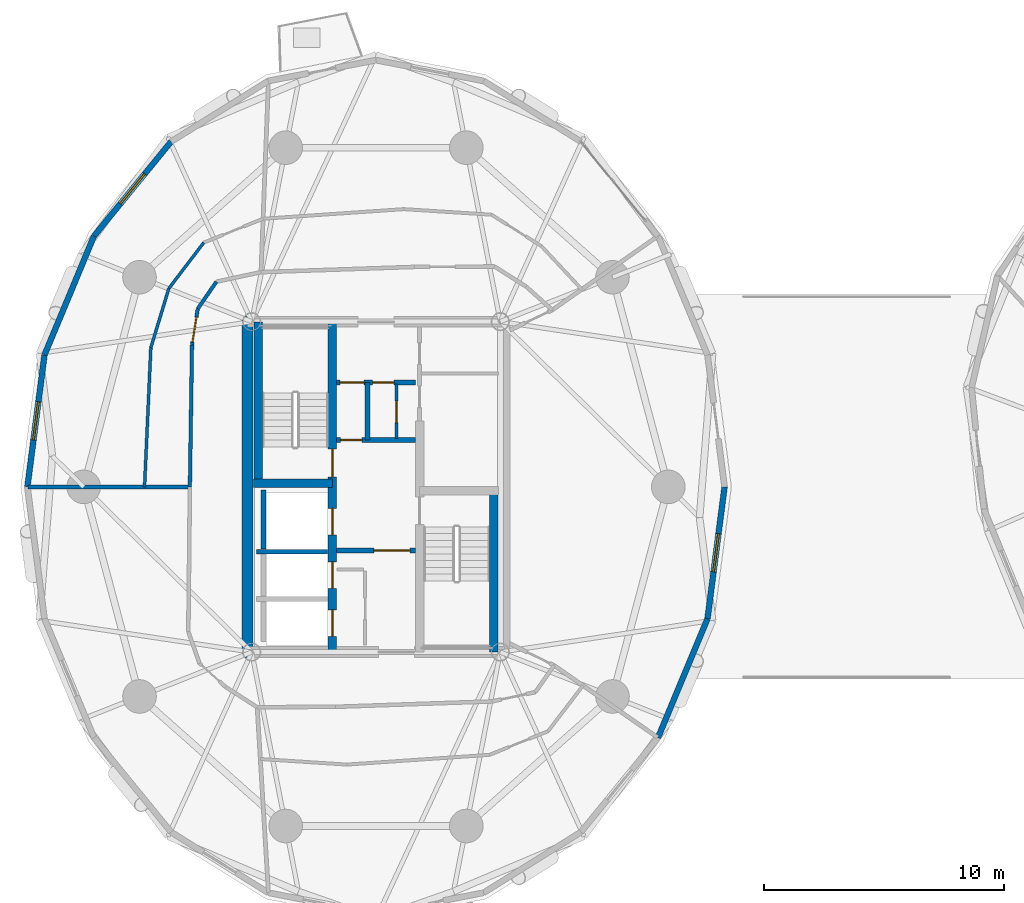
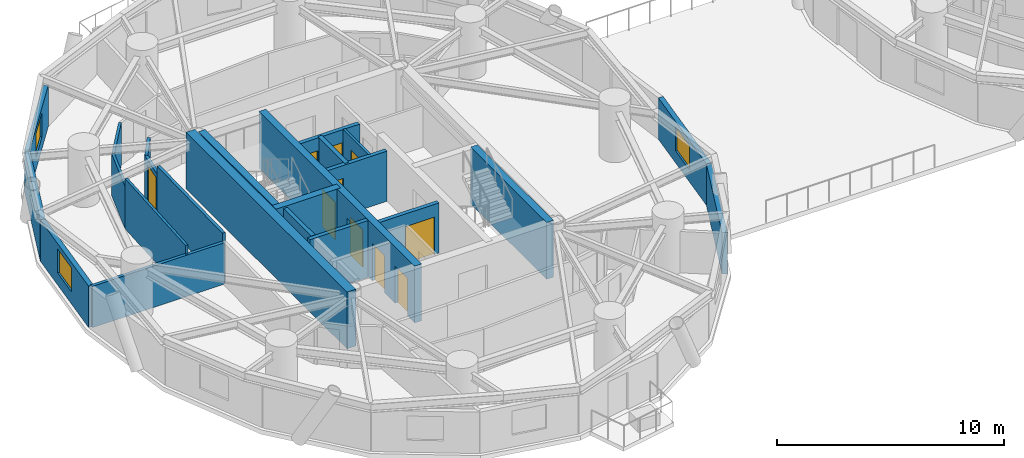
# One storey, part 10 of 19: 24 walls, 10 doors, 3 windows, 13 openings.
"""IFC4 building model written with IfcOpenShell, lengths in metres."""

import ifcopenshell
import ifcopenshell.guid

model = None  # the IFC model being written
_history = None  # IfcOwnerHistory: only IFC2X3 demands one
_inside = {}  # id of a spatial element -> (the spatial element, [elements in it])
_under = {}  # id of a project, library or spatial element -> (it, [spatial elements below it])
_declared = {}  # id of a project -> (the project, [libraries it declares])
_typed = {}  # id of a type object -> (the type object, [elements of that type])
_made_of = {}  # id of a material, layer set ... -> (it, [elements and type objects made of it])


def new_model(schema):
    """Start an empty IFC model of exactly this schema.

    Asked for "IFC4X3", IfcOpenShell would pick the latest addendum, in which some entities
    have other attributes; the version numbers below select the first issue.
    IFC2X3 requires an IfcOwnerHistory on every rooted entity: one is made here for all.
    """
    global model, _history
    if schema == "IFC4X3":
        model = ifcopenshell.file(schema_version=(4, 3, 0, 0))
    else:
        model = ifcopenshell.file(schema=schema)
    _inside.clear()
    _under.clear()
    _declared.clear()
    _typed.clear()
    _made_of.clear()
    _history = None
    if model.schema == "IFC2X3":
        org = make("IfcOrganization", Name="unknown")
        user = make(
            "IfcPersonAndOrganization",
            ThePerson=make("IfcPerson", FamilyName="unknown"),
            TheOrganization=org,
        )
        app = make(
            "IfcApplication",
            ApplicationDeveloper=org,
            Version="unknown",
            ApplicationFullName="unknown",
            ApplicationIdentifier="unknown",
        )
        _history = make(
            "IfcOwnerHistory",
            OwningUser=user,
            OwningApplication=app,
            ChangeAction="ADDED",
            CreationDate=0,
        )
    return model


def make(cls, **values):
    """One entity of the class cls with the attributes given. An attribute that is None is left unset."""
    return model.create_entity(
        cls, **{name: value for name, value in values.items() if value is not None}
    )


def rooted(cls, **values):
    """An entity with a GlobalId (a new one), such as an element, a storey or a relation."""
    return make(cls, GlobalId=ifcopenshell.guid.new(), OwnerHistory=_history, **values)


def si_unit(unit_type, name, prefix=None):
    """IfcSIUnit, for example si_unit("LENGTHUNIT", "METRE", prefix="MILLI")."""
    return make("IfcSIUnit", UnitType=unit_type, Prefix=prefix, Name=name)


def assignment(units):
    """IfcUnitAssignment: the units of a project."""
    return None if units is None else make("IfcUnitAssignment", Units=units)


def point(xyz):
    """IfcCartesianPoint."""
    return None if xyz is None else make("IfcCartesianPoint", Coordinates=xyz)


def direction(xyz):
    """IfcDirection."""
    return None if xyz is None else make("IfcDirection", DirectionRatios=xyz)


def frame(location, z_axis=None, x_axis=None):
    """IfcAxis2Placement3D, a coordinate frame: its origin and axes. An axis left out is left unset."""
    return make(
        "IfcAxis2Placement3D",
        Location=point(location),
        Axis=direction(z_axis),
        RefDirection=direction(x_axis),
    )


def frame_2d(location, x_axis=None):
    """IfcAxis2Placement2D, a coordinate frame in the plane: its origin and x axis."""
    return make(
        "IfcAxis2Placement2D", Location=point(location), RefDirection=direction(x_axis)
    )


def origin():
    """The frame at (0, 0, 0) with its axes left unset."""
    return frame((0.0, 0.0, 0.0))


def place(relative_to, where):
    """IfcLocalPlacement: puts the frame where relative to a parent placement (None: the world)."""
    return make(
        "IfcLocalPlacement", PlacementRelTo=relative_to, RelativePlacement=where
    )


def context(
    kind, dimensions, precision=None, world=None, true_north=None, identifier=None
):
    """IfcGeometricRepresentationContext, for example the 3D "Model" context."""
    return make(
        "IfcGeometricRepresentationContext",
        ContextIdentifier=identifier,
        ContextType=kind,
        CoordinateSpaceDimension=dimensions,
        Precision=precision,
        WorldCoordinateSystem=world,
        TrueNorth=true_north,
    )


def subcontext(parent, identifier, kind, view, scale=None):
    """IfcGeometricRepresentationSubContext, for example "Body" below "Model"."""
    return make(
        "IfcGeometricRepresentationSubContext",
        ContextIdentifier=identifier,
        ContextType=kind,
        ParentContext=parent,
        TargetScale=scale,
        TargetView=view,
    )


def project(units=None, contexts=None):
    """IfcProject with its units and contexts."""
    return rooted(
        "IfcProject",
        Name="project",
        RepresentationContexts=contexts,
        UnitsInContext=assignment(units),
    )


def spatial(cls, under=None, at=None, **own):
    """A site, building, storey or space (cls), placed at a placement, below another one or the project."""
    s = rooted(cls, ObjectPlacement=at, **own)
    if under is not None:
        _under.setdefault(under.id(), (under, []))[1].append(s)
    return s


def profile(cls, at=None, kind="AREA", **sizes):
    """A parametric profile (cls). Its sizes go by their IFC names, for example OverallWidth=200.0."""
    return make(cls, ProfileType=kind, Position=at, **sizes)


def rectangle(**sizes):
    """IfcRectangleProfileDef."""
    return profile("IfcRectangleProfileDef", **sizes)


def extrude(swept, where, along, depth):
    """IfcExtrudedAreaSolid: the profile swept, set in the frame where, extruded along a direction by depth."""
    return make(
        "IfcExtrudedAreaSolid",
        SweptArea=swept,
        Position=where,
        ExtrudedDirection=direction(along),
        Depth=depth,
    )


def shape(context_of_items, identifier, shape_type, items):
    """IfcShapeRepresentation: the items that make up one representation, for example the "Body"."""
    return make(
        "IfcShapeRepresentation",
        ContextOfItems=context_of_items,
        RepresentationIdentifier=identifier,
        RepresentationType=shape_type,
        Items=items,
    )


def source(mapping_origin, context_of_items, identifier, shape_type, items):
    """IfcRepresentationMap: a shape defined once, which mapped items show again and again."""
    return make(
        "IfcRepresentationMap",
        MappingOrigin=mapping_origin,
        MappedRepresentation=shape(context_of_items, identifier, shape_type, items),
    )


def transform(
    local_origin,
    x_axis=None,
    y_axis=None,
    z_axis=None,
    scale=None,
    scale2=None,
    scale3=None,
    uniform=True,
):
    """IfcCartesianTransformationOperator3D, or its non-uniform kind. x_axis, y_axis, z_axis: its Axis1, 2, 3."""
    if uniform:
        return make(
            "IfcCartesianTransformationOperator3D",
            Axis1=direction(x_axis),
            Axis2=direction(y_axis),
            LocalOrigin=point(local_origin),
            Scale=scale,
            Axis3=direction(z_axis),
        )
    return make(
        "IfcCartesianTransformationOperator3DnonUniform",
        Axis1=direction(x_axis),
        Axis2=direction(y_axis),
        LocalOrigin=point(local_origin),
        Scale=scale,
        Axis3=direction(z_axis),
        Scale2=scale2,
        Scale3=scale3,
    )


def mapped(mapping_source, mapping_target):
    """IfcMappedItem: shows the shape of a source again, moved by a transform."""
    return make(
        "IfcMappedItem", MappingSource=mapping_source, MappingTarget=mapping_target
    )


def material(Name=None, Category=None):
    """IfcMaterial."""
    return make("IfcMaterial", Name=Name, Category=Category)


def layer(
    of_material, thickness, ventilated=None, Name=None, Category=None, Priority=None
):
    """IfcMaterialLayer: one layer of a wall or slab, of a material (None: an air gap)."""
    return make(
        "IfcMaterialLayer",
        Material=of_material,
        LayerThickness=thickness,
        IsVentilated=ventilated,
        Name=Name,
        Category=Category,
        Priority=Priority,
    )


def layer_set(layers, Name=None):
    """IfcMaterialLayerSet."""
    return make("IfcMaterialLayerSet", MaterialLayers=layers, LayerSetName=Name)


def made_of(thing, what):
    """Note that an element or type object is made of a material, layer set ...; save() writes the relation."""
    if what is not None:
        _made_of.setdefault(what.id(), (what, []))[1].append(thing)
    return thing


def type_object(cls, material=None, **own):
    """A type object (cls), such as IfcWallType, which elements share."""
    return made_of(rooted(cls, **own), material)


def element(
    cls,
    number,
    at=None,
    inside=None,
    cuts=None,
    type_object=None,
    material=None,
    context=None,
    identifier="Body",
    shape_type=None,
    held_by="IfcProductDefinitionShape",
    body=None,
    shapes=None,
    **own,
):
    """One element of the class cls, such as IfcWall. Its Tag is "e" and its number.

    at: its placement. inside: the storey or other place that contains it. cuts: it is an
    opening in that element (IfcRelVoidsElement). A single representation is given by context,
    identifier, shape_type and body (its items); several are given by shapes. held_by: the class
    of the entity that holds the representations. save() writes the other relations.
    """
    e = rooted(cls, Tag="e%d" % number, ObjectPlacement=at, **own)
    if body is not None:
        shapes = [shape(context, identifier, shape_type, body)]
    if shapes is not None:
        e.Representation = make(held_by, Representations=shapes)
    if inside is not None:
        _inside.setdefault(inside.id(), (inside, []))[1].append(e)
    if cuts is not None:
        rooted(
            "IfcRelVoidsElement", RelatingBuildingElement=cuts, RelatedOpeningElement=e
        )
    if type_object is not None:
        _typed.setdefault(type_object.id(), (type_object, []))[1].append(e)
    return made_of(e, material)


def fill(opening, filler):
    """IfcRelFillsElement: the door or window that sits in an opening."""
    return rooted(
        "IfcRelFillsElement",
        RelatingOpeningElement=opening,
        RelatedBuildingElement=filler,
    )


def aggregate(whole, parts):
    """IfcRelAggregates: a whole, such as a stair, and the parts it consists of."""
    return rooted("IfcRelAggregates", RelatingObject=whole, RelatedObjects=parts)


def save(model, path):
    """Write the relations noted so far, then the file.

    IfcRelAggregates (storeys below a building ...), IfcRelContainedInSpatialStructure (elements
    in a storey), IfcRelDefinesByType, IfcRelAssociatesMaterial and IfcRelDeclares: one each for
    every whole, place, type object, material and project.
    """
    for whole, parts in _under.values():
        aggregate(whole, parts)
    for where, things in _inside.values():
        rooted(
            "IfcRelContainedInSpatialStructure",
            RelatedElements=things,
            RelatingStructure=where,
        )
    for kind, things in _typed.values():
        rooted("IfcRelDefinesByType", RelatedObjects=things, RelatingType=kind)
    for what, things in _made_of.values():
        rooted("IfcRelAssociatesMaterial", RelatedObjects=things, RelatingMaterial=what)
    for by, libraries in _declared.values():
        rooted("IfcRelDeclares", RelatingContext=by, RelatedDefinitions=libraries)
    model.write(path)


model = new_model("IFC4")

# Units and contexts
model_context = context("Model", 3, precision=1e-05, world=origin(), true_north=direction((0.0, 1.0)))
body_context = subcontext(model_context, "Body", "Model", "MODEL_VIEW")
ifc_project = project(units=[si_unit("LENGTHUNIT", "METRE"), si_unit("AREAUNIT", "SQUARE_METRE"), si_unit("VOLUMEUNIT", "CUBIC_METRE"), si_unit("PLANEANGLEUNIT", "RADIAN"), si_unit("MASSUNIT", "GRAM", prefix="KILO")], contexts=[model_context])

# Site, building, storey
site_placement = place(None, origin())
site = spatial("IfcSite", under=ifc_project, at=site_placement, CompositionType="ELEMENT")
building_placement = place(site_placement, origin())
building = spatial("IfcBuilding", under=site, at=building_placement, Name="Cununo Teusaquillo Station Towers", CompositionType="ELEMENT")
storey_placement = place(building_placement, frame((0.0, 0.0, 144.0400390625)))
storey = spatial("IfcBuildingStorey", under=building, at=storey_placement, Name="L45", CompositionType="ELEMENT", Elevation=144.0400390625)

# Walls
ifc_material_1 = material(Name="Concrete C50/60", Category="concrete")
ifc_layer_1 = layer(ifc_material_1, 0.199951171875)
ifc_layer_set_1 = layer_set([ifc_layer_1], Name="Concrete C50/60")
wall_type_1 = type_object("IfcWallType", Name="WL-CORE-200", PredefinedType="SHEAR", material=ifc_layer_set_1)
wall_1_placement = place(storey_placement, frame((11.52001953125, 21.800048828125, 0.0), z_axis=(0.0, 0.0, 1.0), x_axis=(1.0, 0.0, 0.0)))
element("IfcWall", 1, at=wall_1_placement, inside=storey, type_object=wall_type_1, Name="L45 Tower A Firefighting Lift Shaft South Shear Wall", PredefinedType="SHEAR", context=body_context, shape_type="SweptSolid", body=[
    extrude(rectangle(XDim=2.969970703125, YDim=0.199951171875, at=frame_2d((1.48486328125, 0.0))), origin(), (0.0, 0.0, 1.0), 3.06005859375),
])
wall_2_placement = place(storey_placement, frame((11.820068359375, 21.919921875, 0.0), z_axis=(0.0, 0.0, 1.0), x_axis=(0.0, 1.0, 0.0)))
element("IfcWall", 2, at=wall_2_placement, inside=storey, type_object=wall_type_1, Name="L45 Tower A Firefighting Lift Shaft Rear Shear Wall", PredefinedType="SHEAR", context=body_context, shape_type="SweptSolid", body=[
    extrude(rectangle(XDim=2.440185546875, YDim=0.199951171875, at=frame_2d((1.22021484375, 0.0))), origin(), (0.0, 0.0, 1.0), 3.06005859375),
])

# Wall, openings, doors
ifc_material_2 = material(Name="Concrete C50/60", Category="concrete")
ifc_layer_2 = layer(ifc_material_2, 0.35009765625)
ifc_layer_set_2 = layer_set([ifc_layer_2], Name="Concrete C50/60")
wall_type_2 = type_object("IfcWallType", Name="WL-CORE-350", PredefinedType="SHEAR", material=ifc_layer_set_2)
wall_3_placement = place(storey_placement, frame((14.68505859375, 17.625, 0.0), z_axis=(0.0, 0.0, 1.0), x_axis=(0.0, 1.0, 0.0)))
wall_3 = element("IfcWall", 3, at=wall_3_placement, inside=storey, type_object=wall_type_2, Name="L45 Tower A Core Shear Wall IW", PredefinedType="SHEAR", context=body_context, shape_type="SweptSolid", body=[
    extrude(rectangle(XDim=13.75, YDim=0.35009765625, at=frame_2d((6.875, 0.0))), origin(), (0.0, 0.0, 1.0), 3.06005859375),
])
shared_shape_1 = source(origin(), body_context, "Body", "SweptSolid", [
    extrude(rectangle(XDim=1.10009765625, YDim=2.014892578125, at=frame_2d((0.550048828125, 1.00732421875))), frame((0.0, 0.18505859375, 0.0), z_axis=(0.0, -1.0, 0.0), x_axis=(1.0, 0.0, 0.0)), (0.0, 0.0, 1.0), 0.3701171875),
])
opening_1_placement = place(wall_3_placement, frame((4.875, 0.0, 0.0)))
opening_1 = element("IfcOpeningElement", 4, at=opening_1_placement, cuts=wall_3, Name="Opening LD-01", PredefinedType="OPENING", context=body_context, shape_type="MappedRepresentation", body=[
    mapped(shared_shape_1, transform((0.0, 0.0, 0.0), x_axis=(1.0, 0.0, 0.0), y_axis=(0.0, 1.0, 0.0), z_axis=(0.0, 0.0, 1.0), scale=1.0)),
])
opening_2_placement = place(wall_3_placement, frame((0.64990234375, 0.0, 0.0)))
opening_2 = element("IfcOpeningElement", 5, at=opening_2_placement, cuts=wall_3, Name="Opening LD-01", PredefinedType="OPENING", context=body_context, shape_type="MappedRepresentation", body=[
    mapped(shared_shape_1, transform((0.0, 0.0, 0.0), x_axis=(1.0, 0.0, 0.0), y_axis=(0.0, 1.0, 0.0), z_axis=(0.0, 0.0, 1.0), scale=1.0)),
])
opening_3_placement = place(wall_3_placement, frame((2.64990234375, 0.0, 0.0)))
opening_3 = element("IfcOpeningElement", 6, at=opening_3_placement, cuts=wall_3, Name="Opening LD-01", PredefinedType="OPENING", context=body_context, shape_type="MappedRepresentation", body=[
    mapped(shared_shape_1, transform((0.0, 0.0, 0.0), x_axis=(1.0, 0.0, 0.0), y_axis=(0.0, 1.0, 0.0), z_axis=(0.0, 0.0, 1.0), scale=1.0)),
])
shared_shape_2 = source(origin(), body_context, "Body", "SweptSolid", [
    extrude(rectangle(XDim=1.14990234375, YDim=2.02001953125, at=frame_2d((0.574951171875, 1.010009765625))), frame((0.0, 0.18505859375, 0.0), z_axis=(0.0, -1.0, 0.0), x_axis=(1.0, 0.0, 0.0)), (0.0, 0.0, 1.0), 0.3701171875),
])
opening_4_placement = place(wall_3_placement, frame((7.294921875, 0.0, 0.0)))
opening_4 = element("IfcOpeningElement", 7, at=opening_4_placement, cuts=wall_3, Name="Opening D-ST1", PredefinedType="OPENING", context=body_context, shape_type="MappedRepresentation", body=[
    mapped(shared_shape_2, transform((0.0, 0.0, 0.0), x_axis=(1.0, 0.0, 0.0), y_axis=(0.0, 1.0, 0.0), z_axis=(0.0, 0.0, 1.0), scale=1.0)),
])
ifc_material_3 = material(Name="Galvanised fire-rated hollow steel door assembly", Category="steel")
door_type_1 = type_object("IfcDoorType", Name="DR-LIFT-1100", OperationType="SLIDING_TO_LEFT", PredefinedType="DOOR", material=ifc_material_3)
shared_shape_3 = source(origin(), body_context, "Body", "SweptSolid", [
    extrude(rectangle(XDim=1.10009765625, YDim=2.014892578125, at=frame_2d((0.550048828125, 1.00732421875))), frame((0.0, 0.02490234375, 0.0), z_axis=(0.0, -1.0, 0.0), x_axis=(1.0, 0.0, 0.0)), (0.0, 0.0, 1.0), 0.050048828125),
])
door_1_placement = place(opening_1_placement, origin())
door_1 = element("IfcDoor", 8, at=door_1_placement, inside=storey, type_object=door_type_1, Name="L45 Lift FL-T1 Sliding Landing Door", OperationType="SLIDING_TO_RIGHT", OverallHeight=2.014892578125, OverallWidth=1.10009765625, PredefinedType="DOOR", context=body_context, shape_type="MappedRepresentation", body=[
    mapped(shared_shape_3, transform((0.0, 0.0, 0.0), x_axis=(1.0, 0.0, 0.0), y_axis=(0.0, 1.0, 0.0), z_axis=(0.0, 0.0, 1.0), scale=1.0)),
])
fill(opening_1, door_1)
door_2_placement = place(opening_2_placement, origin())
door_2 = element("IfcDoor", 9, at=door_2_placement, inside=storey, type_object=door_type_1, Name="L45 Lift PL-T1-H1 Sliding Landing Door", OperationType="SLIDING_TO_RIGHT", OverallHeight=2.014892578125, OverallWidth=1.10009765625, PredefinedType="DOOR", context=body_context, shape_type="MappedRepresentation", body=[
    mapped(shared_shape_3, transform((0.0, 0.0, 0.0), x_axis=(1.0, 0.0, 0.0), y_axis=(0.0, 1.0, 0.0), z_axis=(0.0, 0.0, 1.0), scale=1.0)),
])
fill(opening_2, door_2)
door_3_placement = place(opening_3_placement, origin())
door_3 = element("IfcDoor", 10, at=door_3_placement, inside=storey, type_object=door_type_1, Name="L45 Lift PL-T1-H2 Sliding Landing Door", OperationType="SLIDING_TO_LEFT", OverallHeight=2.014892578125, OverallWidth=1.10009765625, PredefinedType="DOOR", context=body_context, shape_type="MappedRepresentation", body=[
    mapped(shared_shape_3, transform((0.0, 0.0, 0.0), x_axis=(1.0, 0.0, 0.0), y_axis=(0.0, 1.0, 0.0), z_axis=(0.0, 0.0, 1.0), scale=1.0)),
])
fill(opening_3, door_3)
ifc_material_4 = material(Name="Galvanised fire-rated hollow steel door assembly", Category="steel")
door_type_2 = type_object("IfcDoorType", Name="DR-STAIR-1150", OperationType="NOTDEFINED", PredefinedType="DOOR", material=ifc_material_4)
shared_shape_4 = source(origin(), body_context, "Body", "SweptSolid", [
    extrude(rectangle(XDim=1.14990234375, YDim=2.02001953125, at=frame_2d((0.574951171875, 1.010009765625))), frame((0.0, 0.02490234375, 0.0), z_axis=(0.0, -1.0, 0.0), x_axis=(1.0, 0.0, 0.0)), (0.0, 0.0, 1.0), 0.050048828125),
])
door_4_placement = place(opening_4_placement, origin())
door_4 = element("IfcDoor", 11, at=door_4_placement, inside=storey, type_object=door_type_2, Name="L45 Tower A Exit Stair 1 Fire Door", OperationType="SINGLE_SWING_RIGHT", OverallHeight=2.02001953125, OverallWidth=1.14990234375, PredefinedType="DOOR", context=body_context, shape_type="MappedRepresentation", body=[
    mapped(shared_shape_4, transform((0.0, 0.0, 0.0), x_axis=(1.0, 0.0, 0.0), y_axis=(0.0, 1.0, 0.0), z_axis=(0.0, 0.0, 1.0), scale=1.0)),
])
fill(opening_4, door_4)

# Walls
wall_4_placement = place(storey_placement, frame((11.594970703125, 24.655029296875, 0.0), z_axis=(0.0, 0.0, 1.0), x_axis=(0.0, 1.0, 0.0)))
element("IfcWall", 12, at=wall_4_placement, inside=storey, type_object=wall_type_2, Name="L45 Tower A Core Shear Wall ST1W", PredefinedType="SHEAR", context=body_context, shape_type="SweptSolid", body=[
    extrude(rectangle(XDim=6.719970703125, YDim=0.35009765625, at=frame_2d((3.35986328125, 0.0))), origin(), (0.0, 0.0, 1.0), 3.06005859375),
])
wall_5_placement = place(storey_placement, frame((11.39990234375, 24.655029296875, 0.0), z_axis=(0.0, 0.0, 1.0), x_axis=(1.0, 0.0, 0.0)))
element("IfcWall", 13, at=wall_5_placement, inside=storey, type_object=wall_type_2, Name="L45 Tower A Core Shear Wall ST1S", PredefinedType="SHEAR", context=body_context, shape_type="SweptSolid", body=[
    extrude(rectangle(XDim=3.28515625, YDim=0.35009765625, at=frame_2d((1.642578125, 0.0))), origin(), (0.0, 0.0, 1.0), 3.06005859375),
])
wall_6_placement = place(storey_placement, frame((21.405029296875, 17.625, 0.0), z_axis=(0.0, 0.0, 1.0), x_axis=(0.0, 1.0, 0.0)))
element("IfcWall", 14, at=wall_6_placement, inside=storey, type_object=wall_type_2, Name="L45 Tower A Core Shear Wall ST2E", PredefinedType="SHEAR", context=body_context, shape_type="SweptSolid", body=[
    extrude(rectangle(XDim=6.719970703125, YDim=0.35009765625, at=frame_2d((3.35986328125, 0.0))), origin(), (0.0, 0.0, 1.0), 3.06005859375),
])
ifc_material_5 = material(Name="Concrete C60/75", Category="concrete")
ifc_layer_3 = layer(ifc_material_5, 0.449951171875)
ifc_layer_set_3 = layer_set([ifc_layer_3], Name="Concrete C60/75")
wall_type_3 = type_object("IfcWallType", Name="WL-CORE-450", PredefinedType="SHEAR", material=ifc_layer_set_3)
wall_7_placement = place(storey_placement, frame((11.14990234375, 17.39990234375, 0.0), z_axis=(0.0, 0.0, 1.0), x_axis=(0.0, 1.0, 0.0)))
element("IfcWall", 15, at=wall_7_placement, inside=storey, type_object=wall_type_3, Name="L45 Tower A Core Shear Wall W", PredefinedType="SHEAR", context=body_context, shape_type="SweptSolid", body=[
    extrude(rectangle(XDim=14.2001953125, YDim=0.449951171875, at=frame_2d((7.10009765625, 0.0))), origin(), (0.0, 0.0, 1.0), 3.06005859375),
])

# Wall, opening, window
ifc_material_6 = material(Name="Precast concrete C40/50", Category="concrete")
ifc_layer_4 = layer(ifc_material_6, 0.239990234375)
ifc_layer_set_4 = layer_set([ifc_layer_4], Name="Precast concrete C40/50")
wall_type_4 = type_object("IfcWallType", Name="WL-EXT-240", PredefinedType="SOLIDWALL", material=ifc_layer_set_4)
wall_8_placement = place(storey_placement, frame((4.757080078125, 34.94482421875, 0.0), z_axis=(0.0, 0.0, 1.0), x_axis=(0.632598524901, 0.774479894053, 0.0)))
wall_8 = element("IfcWall", 16, at=wall_8_placement, inside=storey, type_object=wall_type_4, Name="L45 Tower A Exterior Facade Wall C07", PredefinedType="SOLIDWALL", context=body_context, shape_type="SweptSolid", body=[
    extrude(rectangle(XDim=5.076171875, YDim=0.239990234375, at=frame_2d((2.5380859375, 0.0))), origin(), (0.0, 0.0, 1.0), 2.22900390625),
])
shared_shape_5 = source(origin(), body_context, "Body", "SweptSolid", [
    extrude(rectangle(XDim=1.60009765625, YDim=1.300048828125, at=frame_2d((0.800048828125, 0.64990234375))), frame((0.0, 0.1298828125, 0.0), z_axis=(0.0, -1.0, 0.0), x_axis=(1.0, 0.0, 0.0)), (0.0, 0.0, 1.0), 0.260009765625),
])
opening_5_placement = place(wall_8_placement, frame((1.738037109375, 0.0, 0.64990234375)))
opening_5 = element("IfcOpeningElement", 17, at=opening_5_placement, cuts=wall_8, Name="Opening WN-03", PredefinedType="OPENING", context=body_context, shape_type="MappedRepresentation", body=[
    mapped(shared_shape_5, transform((0.0, 0.0, 0.0), x_axis=(1.0, 0.0, 0.0), y_axis=(0.0, 1.0, 0.0), z_axis=(0.0, 0.0, 1.0), scale=1.0)),
])
ifc_material_7 = material(Name="Ceramic-fritted dark low-E double glazing", Category="glass")
window_type = type_object("IfcWindowType", Name="WIN-CORN-1600", PartitioningType="SINGLE_PANEL", PredefinedType="WINDOW", material=ifc_material_7)
shared_shape_6 = source(origin(), body_context, "Body", "SweptSolid", [
    extrude(rectangle(XDim=1.60009765625, YDim=1.300048828125, at=frame_2d((0.800048828125, 0.64990234375))), frame((0.0, 0.030029296875, 0.0), z_axis=(0.0, -1.0, 0.0), x_axis=(1.0, 0.0, 0.0)), (0.0, 0.0, 1.0), 0.06005859375),
])
window_1_placement = place(opening_5_placement, origin())
window_1 = element("IfcWindow", 18, at=window_1_placement, inside=storey, type_object=window_type, Name="L45 Tower A Facade Window C07", OverallHeight=1.300048828125, OverallWidth=1.60009765625, PartitioningType="SINGLE_PANEL", PredefinedType="WINDOW", context=body_context, shape_type="MappedRepresentation", body=[
    mapped(shared_shape_6, transform((0.0, 0.0, 0.0), x_axis=(1.0, 0.0, 0.0), y_axis=(0.0, 1.0, 0.0), z_axis=(0.0, 0.0, 1.0), scale=1.0)),
])
fill(opening_5, window_1)

# Wall
wall_9_placement = place(storey_placement, frame((2.6953125, 29.9912109375, 0.0), z_axis=(0.0, 0.0, 1.0), x_axis=(0.384259959969, 0.923224936386, 0.0)))
element("IfcWall", 19, at=wall_9_placement, inside=storey, type_object=wall_type_4, Name="L45 Tower A Exterior Facade Wall C08", PredefinedType="SOLIDWALL", context=body_context, shape_type="SweptSolid", body=[
    extrude(rectangle(XDim=5.365478515625, YDim=0.239990234375, at=frame_2d((2.6826171875, 0.0))), origin(), (0.0, 0.0, 1.0), 2.22900390625),
])

# Wall, opening, window
wall_10_placement = place(storey_placement, frame((1.985107421875, 24.5, 0.0), z_axis=(0.0, 0.0, 1.0), x_axis=(0.128266533912, 0.991739732126, 0.0)))
wall_10 = element("IfcWall", 20, at=wall_10_placement, inside=storey, type_object=wall_type_4, Name="L45 Tower A Exterior Facade Wall C09", PredefinedType="SOLIDWALL", context=body_context, shape_type="SweptSolid", body=[
    extrude(rectangle(XDim=5.536865234375, YDim=0.239990234375, at=frame_2d((2.7685546875, 0.0))), origin(), (0.0, 0.0, 1.0), 2.22900390625),
])
opening_6_placement = place(wall_10_placement, frame((1.968017578125, 0.0, 0.64990234375)))
opening_6 = element("IfcOpeningElement", 21, at=opening_6_placement, cuts=wall_10, Name="Opening WN-03", PredefinedType="OPENING", context=body_context, shape_type="MappedRepresentation", body=[
    mapped(shared_shape_5, transform((0.0, 0.0, 0.0), x_axis=(1.0, 0.0, 0.0), y_axis=(0.0, 1.0, 0.0), z_axis=(0.0, 0.0, 1.0), scale=1.0)),
])
window_2_placement = place(opening_6_placement, origin())
window_2 = element("IfcWindow", 22, at=window_2_placement, inside=storey, type_object=window_type, Name="L45 Tower A Facade Window C09", OverallHeight=1.300048828125, OverallWidth=1.60009765625, PartitioningType="SINGLE_PANEL", PredefinedType="WINDOW", context=body_context, shape_type="MappedRepresentation", body=[
    mapped(shared_shape_6, transform((0.0, 0.0, 0.0), x_axis=(1.0, 0.0, 0.0), y_axis=(0.0, 1.0, 0.0), z_axis=(0.0, 0.0, 1.0), scale=1.0)),
])
fill(opening_6, window_2)

# Wall
wall_11_placement = place(storey_placement, frame((30.3046875, 19.0087890625, 0.0), z_axis=(0.0, 0.0, 1.0), x_axis=(-0.384259959969, -0.923224936386, 0.0)))
element("IfcWall", 23, at=wall_11_placement, inside=storey, type_object=wall_type_4, Name="L45 Tower A Exterior Facade Wall C18", PredefinedType="SOLIDWALL", context=body_context, shape_type="SweptSolid", body=[
    extrude(rectangle(XDim=5.365478515625, YDim=0.239990234375, at=frame_2d((2.6826171875, 0.0))), origin(), (0.0, 0.0, 1.0), 2.22900390625),
])

# Wall, opening, window
wall_12_placement = place(storey_placement, frame((31.014892578125, 24.5, 0.0), z_axis=(0.0, 0.0, 1.0), x_axis=(-0.128266533912, -0.991739732126, 0.0)))
wall_12 = element("IfcWall", 24, at=wall_12_placement, inside=storey, type_object=wall_type_4, Name="L45 Tower A Exterior Facade Wall C19", PredefinedType="SOLIDWALL", context=body_context, shape_type="SweptSolid", body=[
    extrude(rectangle(XDim=5.536865234375, YDim=0.239990234375, at=frame_2d((2.7685546875, 0.0))), origin(), (0.0, 0.0, 1.0), 2.22900390625),
])
opening_7_placement = place(wall_12_placement, frame((1.968017578125, 0.0, 0.64990234375)))
opening_7 = element("IfcOpeningElement", 25, at=opening_7_placement, cuts=wall_12, Name="Opening WN-03", PredefinedType="OPENING", context=body_context, shape_type="MappedRepresentation", body=[
    mapped(shared_shape_5, transform((0.0, 0.0, 0.0), x_axis=(1.0, 0.0, 0.0), y_axis=(0.0, 1.0, 0.0), z_axis=(0.0, 0.0, 1.0), scale=1.0)),
])
window_3_placement = place(opening_7_placement, origin())
window_3 = element("IfcWindow", 26, at=window_3_placement, inside=storey, type_object=window_type, Name="L45 Tower A Facade Window C19", OverallHeight=1.300048828125, OverallWidth=1.60009765625, PartitioningType="SINGLE_PANEL", PredefinedType="WINDOW", context=body_context, shape_type="MappedRepresentation", body=[
    mapped(shared_shape_6, transform((0.0, 0.0, 0.0), x_axis=(1.0, 0.0, 0.0), y_axis=(0.0, 1.0, 0.0), z_axis=(0.0, 0.0, 1.0), scale=1.0)),
])
fill(opening_7, window_3)

# Wall, opening, door
ifc_material_8 = material(Name="Fire-rated gypsum plasterboard partition assembly", Category="gypsum")
ifc_layer_5 = layer(ifc_material_8, 0.125)
ifc_layer_set_5 = layer_set([ifc_layer_5], Name="Fire-rated gypsum plasterboard partition assembly")
wall_type_5 = type_object("IfcWallType", Name="WL-PART-125", PredefinedType="PARTITIONING", material=ifc_layer_set_5)
wall_13_placement = place(storey_placement, frame((17.35009765625, 26.52001953125, 0.0), z_axis=(0.0, 0.0, 1.0), x_axis=(0.0, 1.0, 0.0)))
wall_13 = element("IfcWall", 27, at=wall_13_placement, inside=storey, type_object=wall_type_5, Name="L45 Tower A Core Vertical Split Wall", PredefinedType="PARTITIONING", context=body_context, shape_type="SweptSolid", body=[
    extrude(rectangle(XDim=2.260009765625, YDim=0.125, at=frame_2d((1.1298828125, 0.0))), origin(), (0.0, 0.0, 1.0), 2.705078125),
])
shared_shape_7 = source(origin(), body_context, "Body", "SweptSolid", [
    extrude(rectangle(XDim=0.89990234375, YDim=2.0048828125, at=frame_2d((0.449951171875, 1.00244140625))), frame((0.0, 0.072509765625, 0.0), z_axis=(0.0, -1.0, 0.0), x_axis=(1.0, 0.0, 0.0)), (0.0, 0.0, 1.0), 0.14501953125),
])
opening_8_placement = place(wall_13_placement, frame((0.64990234375, 0.0, 0.0)))
opening_8 = element("IfcOpeningElement", 28, at=opening_8_placement, cuts=wall_13, Name="Opening D-SR1", PredefinedType="OPENING", context=body_context, shape_type="MappedRepresentation", body=[
    mapped(shared_shape_7, transform((0.0, 0.0, 0.0), x_axis=(1.0, 0.0, 0.0), y_axis=(0.0, 1.0, 0.0), z_axis=(0.0, 0.0, 1.0), scale=1.0)),
])
ifc_material_9 = material(Name="Galvanised fire-rated hollow steel door assembly", Category="steel")
door_type_3 = type_object("IfcDoorType", Name="DR-STORE-900", OperationType="NOTDEFINED", PredefinedType="DOOR", material=ifc_material_9)
shared_shape_8 = source(origin(), body_context, "Body", "SweptSolid", [
    extrude(rectangle(XDim=0.89990234375, YDim=2.0048828125, at=frame_2d((0.449951171875, 1.00244140625))), frame((0.0, 0.02490234375, 0.0), z_axis=(0.0, -1.0, 0.0), x_axis=(1.0, 0.0, 0.0)), (0.0, 0.0, 1.0), 0.050048828125),
])
door_5_placement = place(opening_8_placement, origin())
door_5 = element("IfcDoor", 29, at=door_5_placement, inside=storey, type_object=door_type_3, Name="L45 Tower A Core Electrical Room Door", OperationType="SINGLE_SWING_RIGHT", OverallHeight=2.0048828125, OverallWidth=0.89990234375, PredefinedType="DOOR", context=body_context, shape_type="MappedRepresentation", body=[
    mapped(shared_shape_8, transform((0.0, 0.0, 0.0), x_axis=(1.0, 0.0, 0.0), y_axis=(0.0, 1.0, 0.0), z_axis=(0.0, 0.0, 1.0), scale=1.0)),
])
fill(opening_8, door_5)

# Walls
wall_14_placement = place(storey_placement, frame((9.32861328125, 34.670654296875, 0.0), z_axis=(0.0, 0.0, 1.0), x_axis=(-0.606312904513, -0.795226170231, 0.0)))
element("IfcWall", 30, at=wall_14_placement, inside=storey, type_object=wall_type_5, Name="L45 Tower A Andean Hydrotherapy & Movement Hall Concentric Partition Wall C07", PredefinedType="PARTITIONING", context=body_context, shape_type="SweptSolid", body=[
    extrude(rectangle(XDim=2.39990234375, YDim=0.125, at=frame_2d((1.199951171875, 0.0))), origin(), (0.0, 0.0, 1.0), 2.27490234375),
])
wall_15_placement = place(storey_placement, frame((7.87353515625, 32.76220703125, 0.0), z_axis=(0.0, 0.0, 1.0), x_axis=(-0.290359355154, -0.956917679257, 0.0)))
element("IfcWall", 31, at=wall_15_placement, inside=storey, type_object=wall_type_5, Name="L45 Tower A Andean Hydrotherapy & Movement Hall Concentric Partition Wall C08", PredefinedType="PARTITIONING", context=body_context, shape_type="SweptSolid", body=[
    extrude(rectangle(XDim=2.57958984375, YDim=0.125, at=frame_2d((1.289794921875, 0.0))), origin(), (0.0, 0.0, 1.0), 2.27490234375),
])
wall_16_placement = place(storey_placement, frame((7.12451171875, 30.293701171875, 0.0), z_axis=(0.0, 0.0, 1.0), x_axis=(-0.045379018557, -0.998969841724, 0.0)))
element("IfcWall", 32, at=wall_16_placement, inside=storey, type_object=wall_type_5, Name="L45 Tower A Andean Hydrotherapy & Movement Hall Concentric Partition Wall C09", PredefinedType="PARTITIONING", context=body_context, shape_type="SweptSolid", body=[
    extrude(rectangle(XDim=5.799560546875, YDim=0.125, at=frame_2d((2.89990234375, 0.0))), origin(), (0.0, 0.0, 1.0), 2.705078125),
])
ifc_material_10 = material(Name="Fire-rated gypsum plasterboard partition assembly", Category="gypsum")
ifc_layer_6 = layer(ifc_material_10, 0.14990234375)
ifc_layer_set_6 = layer_set([ifc_layer_6], Name="Fire-rated gypsum plasterboard partition assembly")
wall_type_6 = type_object("IfcWallType", Name="WL-PART-150", PredefinedType="PARTITIONING", material=ifc_layer_set_6)
wall_17_placement = place(storey_placement, frame((9.853271484375, 33.04150390625, 0.0), z_axis=(0.0, 0.0, 1.0), x_axis=(-0.567189283521, -0.823587467522, 0.0)))
element("IfcWall", 33, at=wall_17_placement, inside=storey, type_object=wall_type_6, Name="L45 Tower A Corridor Ring Wall C07", PredefinedType="PARTITIONING", context=body_context, shape_type="SweptSolid", body=[
    extrude(rectangle(XDim=1.364501953125, YDim=0.14990234375, at=frame_2d((0.68212890625, 0.0))), origin(), (0.0, 0.0, 1.0), 2.27490234375),
])

# Wall, opening, door
wall_18_placement = place(storey_placement, frame((9.079345703125, 31.917724609375, 0.0), z_axis=(0.0, 0.0, 1.0), x_axis=(-0.15742775293, -0.987530507178, 0.0)))
wall_18 = element("IfcWall", 34, at=wall_18_placement, inside=storey, type_object=wall_type_6, Name="L45 Tower A Corridor Ring Wall C08", PredefinedType="PARTITIONING", context=body_context, shape_type="SweptSolid", body=[
    extrude(rectangle(XDim=1.52294921875, YDim=0.14990234375, at=frame_2d((0.761474609375, 0.0))), origin(), (0.0, 0.0, 1.0), 2.27490234375),
])
shared_shape_9 = source(origin(), body_context, "Body", "SweptSolid", [
    extrude(rectangle(XDim=1.050048828125, YDim=2.014892578125, at=frame_2d((0.52490234375, 1.00732421875))), frame((0.0, 0.0849609375, 0.0), z_axis=(0.0, -1.0, 0.0), x_axis=(1.0, 0.0, 0.0)), (0.0, 0.0, 1.0), 0.169921875),
])
opening_9_placement = place(wall_18_placement, frame((0.352783203125, 0.0, 0.0)))
opening_9 = element("IfcOpeningElement", 35, at=opening_9_placement, cuts=wall_18, Name="Opening D-SU1", PredefinedType="OPENING", context=body_context, shape_type="MappedRepresentation", body=[
    mapped(shared_shape_9, transform((0.0, 0.0, 0.0), x_axis=(1.0, 0.0, 0.0), y_axis=(0.0, 1.0, 0.0), z_axis=(0.0, 0.0, 1.0), scale=1.0)),
])
ifc_material_11 = material(Name="Acoustic solid-core hardwood leaf assembly", Category="wood")
door_type_4 = type_object("IfcDoorType", Name="DR-SUITE-1050", OperationType="NOTDEFINED", PredefinedType="DOOR", material=ifc_material_11)
shared_shape_10 = source(origin(), body_context, "Body", "SweptSolid", [
    extrude(rectangle(XDim=1.050048828125, YDim=2.014892578125, at=frame_2d((0.52490234375, 1.00732421875))), frame((0.0, 0.02490234375, 0.0), z_axis=(0.0, -1.0, 0.0), x_axis=(1.0, 0.0, 0.0)), (0.0, 0.0, 1.0), 0.050048828125),
])
door_6_placement = place(opening_9_placement, origin())
door_6 = element("IfcDoor", 36, at=door_6_placement, inside=storey, type_object=door_type_4, Name="L45 Tower A Andean Hydrotherapy & Movement Hall Entrance Door", OperationType="SINGLE_SWING_LEFT", OverallHeight=2.014892578125, OverallWidth=1.050048828125, PredefinedType="DOOR", context=body_context, shape_type="MappedRepresentation", body=[
    mapped(shared_shape_10, transform((0.0, 0.0, 0.0), x_axis=(1.0, 0.0, 0.0), y_axis=(0.0, 1.0, 0.0), z_axis=(0.0, 0.0, 1.0), scale=1.0)),
])
fill(opening_9, door_6)

# Walls
wall_19_placement = place(storey_placement, frame((8.839599609375, 30.413818359375, 0.0), z_axis=(0.0, 0.0, 1.0), x_axis=(-0.01514915101, -0.999885245027, 0.0)))
element("IfcWall", 37, at=wall_19_placement, inside=storey, type_object=wall_type_6, Name="L45 Tower A Corridor Ring Wall C09", PredefinedType="PARTITIONING", context=body_context, shape_type="SweptSolid", body=[
    extrude(rectangle(XDim=5.91455078125, YDim=0.14990234375, at=frame_2d((2.957275390625, 0.0))), origin(), (0.0, 0.0, 1.0), 2.705078125),
])
ifc_material_12 = material(Name="Fire-rated gypsum plasterboard partition assembly", Category="gypsum")
ifc_layer_7 = layer(ifc_material_12, 0.159912109375)
ifc_layer_set_7 = layer_set([ifc_layer_7], Name="Fire-rated gypsum plasterboard partition assembly")
wall_type_7 = type_object("IfcWallType", Name="WL-PART-160", PredefinedType="PARTITIONING", material=ifc_layer_set_7)
wall_20_placement = place(storey_placement, frame((8.75, 24.5, 0.0), z_axis=(0.0, 0.0, 1.0), x_axis=(-1.0, 0.0, 0.0)))
element("IfcWall", 38, at=wall_20_placement, inside=storey, type_object=wall_type_7, Name="L45 Tower A Radial Suite Partition R03", PredefinedType="PARTITIONING", context=body_context, shape_type="SweptSolid", body=[
    extrude(rectangle(XDim=6.7451171875, YDim=0.159912109375, at=frame_2d((3.37255859375, 0.0))), origin(), (0.0, 0.0, 1.0), 2.22900390625),
])

# Wall, opening, door
ifc_material_13 = material(Name="Fire-rated gypsum plasterboard partition assembly", Category="gypsum")
ifc_layer_8 = layer(ifc_material_13, 0.199951171875)
ifc_layer_set_8 = layer_set([ifc_layer_8], Name="Fire-rated gypsum plasterboard partition assembly")
wall_type_8 = type_object("IfcWallType", Name="WL-PART-200", PredefinedType="PARTITIONING", material=ifc_layer_set_8)
wall_21_placement = place(storey_placement, frame((14.860107421875, 21.85009765625, 0.0), z_axis=(0.0, 0.0, 1.0), x_axis=(1.0, 0.0, 0.0)))
wall_21 = element("IfcWall", 39, at=wall_21_placement, inside=storey, type_object=wall_type_8, Name="L45 Tower A Firefighting Lift Lobby South Fire Wall", PredefinedType="PARTITIONING", context=body_context, shape_type="SweptSolid", body=[
    extrude(rectangle(XDim=3.27978515625, YDim=0.199951171875, at=frame_2d((1.639892578125, 0.0))), origin(), (0.0, 0.0, 1.0), 2.705078125),
])
shared_shape_11 = source(origin(), body_context, "Body", "SweptSolid", [
    extrude(rectangle(XDim=1.5, YDim=2.02001953125, at=frame_2d((0.75, 1.010009765625))), frame((0.0, 0.10986328125, 0.0), z_axis=(0.0, -1.0, 0.0), x_axis=(1.0, 0.0, 0.0)), (0.0, 0.0, 1.0), 0.219970703125),
])
opening_10_placement = place(wall_21_placement, frame((1.550048828125, 0.0, 0.0)))
opening_10 = element("IfcOpeningElement", 40, at=opening_10_placement, cuts=wall_21, Name="Opening D-LB1", PredefinedType="OPENING", context=body_context, shape_type="MappedRepresentation", body=[
    mapped(shared_shape_11, transform((0.0, 0.0, 0.0), x_axis=(1.0, 0.0, 0.0), y_axis=(0.0, 1.0, 0.0), z_axis=(0.0, 0.0, 1.0), scale=1.0)),
])
ifc_material_14 = material(Name="Galvanised fire-rated hollow steel door assembly", Category="steel")
door_type_5 = type_object("IfcDoorType", Name="DR-LOBBY-1500", OperationType="DOUBLE_DOOR_SINGLE_SWING", PredefinedType="DOOR", material=ifc_material_14)
shared_shape_12 = source(origin(), body_context, "Body", "SweptSolid", [
    extrude(rectangle(XDim=1.5, YDim=2.02001953125, at=frame_2d((0.75, 1.010009765625))), frame((0.0, 0.02490234375, 0.0), z_axis=(0.0, -1.0, 0.0), x_axis=(1.0, 0.0, 0.0)), (0.0, 0.0, 1.0), 0.050048828125),
])
door_7_placement = place(opening_10_placement, origin())
door_7 = element("IfcDoor", 41, at=door_7_placement, inside=storey, type_object=door_type_5, Name="L45 Tower A Firefighting Lift Lobby South Fire Door", OperationType="DOUBLE_DOOR_SINGLE_SWING", OverallHeight=2.02001953125, OverallWidth=1.5, PredefinedType="DOOR", context=body_context, shape_type="MappedRepresentation", body=[
    mapped(shared_shape_12, transform((0.0, 0.0, 0.0), x_axis=(1.0, 0.0, 0.0), y_axis=(0.0, 1.0, 0.0), z_axis=(0.0, 0.0, 1.0), scale=1.0)),
])
fill(opening_10, door_7)

wall_22_placement = place(storey_placement, frame((14.860107421875, 26.449951171875, 0.0), z_axis=(0.0, 0.0, 1.0), x_axis=(1.0, 0.0, 0.0)))
wall_22 = element("IfcWall", 42, at=wall_22_placement, inside=storey, type_object=wall_type_8, Name="L45 Tower A Firefighting Lift Lobby North Fire Wall", PredefinedType="PARTITIONING", context=body_context, shape_type="SweptSolid", body=[
    extrude(rectangle(XDim=3.27978515625, YDim=0.199951171875, at=frame_2d((1.639892578125, 0.0))), origin(), (0.0, 0.0, 1.0), 2.705078125),
])
shared_shape_13 = source(origin(), body_context, "Body", "SweptSolid", [
    extrude(rectangle(XDim=0.89990234375, YDim=2.0048828125, at=frame_2d((0.449951171875, 1.00244140625))), frame((0.0, 0.10986328125, 0.0), z_axis=(0.0, -1.0, 0.0), x_axis=(1.0, 0.0, 0.0)), (0.0, 0.0, 1.0), 0.219970703125),
])
opening_11_placement = place(wall_22_placement, frame((0.159912109375, 0.0, 0.0)))
opening_11 = element("IfcOpeningElement", 43, at=opening_11_placement, cuts=wall_22, Name="Opening D-SR1", PredefinedType="OPENING", context=body_context, shape_type="MappedRepresentation", body=[
    mapped(shared_shape_13, transform((0.0, 0.0, 0.0), x_axis=(1.0, 0.0, 0.0), y_axis=(0.0, 1.0, 0.0), z_axis=(0.0, 0.0, 1.0), scale=1.0)),
])
door_8_placement = place(opening_11_placement, origin())
door_8 = element("IfcDoor", 44, at=door_8_placement, inside=storey, type_object=door_type_3, Name="L45 Tower A Stair 1 Protected Vestibule South Door", OperationType="SINGLE_SWING_RIGHT", OverallHeight=2.0048828125, OverallWidth=0.89990234375, PredefinedType="DOOR", context=body_context, shape_type="MappedRepresentation", body=[
    mapped(shared_shape_8, transform((0.0, 0.0, 0.0), x_axis=(1.0, 0.0, 0.0), y_axis=(0.0, 1.0, 0.0), z_axis=(0.0, 0.0, 1.0), scale=1.0)),
])
fill(opening_11, door_8)

# Wall
wall_23_placement = place(storey_placement, frame((16.14990234375, 26.449951171875, 0.0), z_axis=(0.0, 0.0, 1.0), x_axis=(0.0, 1.0, 0.0)))
element("IfcWall", 45, at=wall_23_placement, inside=storey, type_object=wall_type_8, Name="L45 Tower A Stair 1 Vestibule Partition Wall", PredefinedType="PARTITIONING", context=body_context, shape_type="SweptSolid", body=[
    extrude(rectangle(XDim=2.400146484375, YDim=0.199951171875, at=frame_2d((1.2001953125, 0.0))), origin(), (0.0, 0.0, 1.0), 2.705078125),
])

# Wall, openings, doors
wall_24_placement = place(storey_placement, frame((14.860107421875, 28.85009765625, 0.0), z_axis=(0.0, 0.0, 1.0), x_axis=(1.0, 0.0, 0.0)))
wall_24 = element("IfcWall", 46, at=wall_24_placement, inside=storey, type_object=wall_type_8, Name="L45 Tower A North Lift Lobby South Fire Wall", PredefinedType="PARTITIONING", context=body_context, shape_type="SweptSolid", body=[
    extrude(rectangle(XDim=3.27978515625, YDim=0.199951171875, at=frame_2d((1.639892578125, 0.0))), origin(), (0.0, 0.0, 1.0), 2.705078125),
])
shared_shape_14 = source(origin(), body_context, "Body", "SweptSolid", [
    extrude(rectangle(XDim=1.0, YDim=2.014892578125, at=frame_2d((0.5, 1.00732421875))), frame((0.0, 0.10986328125, 0.0), z_axis=(0.0, -1.0, 0.0), x_axis=(1.0, 0.0, 0.0)), (0.0, 0.0, 1.0), 0.219970703125),
])
opening_12_placement = place(wall_24_placement, frame((0.139892578125, 0.0, 0.0)))
opening_12 = element("IfcOpeningElement", 47, at=opening_12_placement, cuts=wall_24, Name="Opening D-AC1", PredefinedType="OPENING", context=body_context, shape_type="MappedRepresentation", body=[
    mapped(shared_shape_14, transform((0.0, 0.0, 0.0), x_axis=(1.0, 0.0, 0.0), y_axis=(0.0, 1.0, 0.0), z_axis=(0.0, 0.0, 1.0), scale=1.0)),
])
opening_13_placement = place(wall_24_placement, frame((1.5, 0.0, 0.0)))
opening_13 = element("IfcOpeningElement", 48, at=opening_13_placement, cuts=wall_24, Name="Opening D-SR1", PredefinedType="OPENING", context=body_context, shape_type="MappedRepresentation", body=[
    mapped(shared_shape_13, transform((0.0, 0.0, 0.0), x_axis=(1.0, 0.0, 0.0), y_axis=(0.0, 1.0, 0.0), z_axis=(0.0, 0.0, 1.0), scale=1.0)),
])
door_9_placement = place(opening_13_placement, origin())
door_9 = element("IfcDoor", 49, at=door_9_placement, inside=storey, type_object=door_type_3, Name="L45 Tower A Core Housekeeping Store Door", OperationType="SINGLE_SWING_LEFT", OverallHeight=2.0048828125, OverallWidth=0.89990234375, PredefinedType="DOOR", context=body_context, shape_type="MappedRepresentation", body=[
    mapped(shared_shape_8, transform((0.0, 0.0, 0.0), x_axis=(1.0, 0.0, 0.0), y_axis=(0.0, 1.0, 0.0), z_axis=(0.0, 0.0, 1.0), scale=1.0)),
])
fill(opening_13, door_9)
ifc_material_15 = material(Name="Acoustic solid-core hardwood leaf assembly", Category="wood")
door_type_6 = type_object("IfcDoorType", Name="DR-ACC-1000", OperationType="NOTDEFINED", PredefinedType="DOOR", material=ifc_material_15)
shared_shape_15 = source(origin(), body_context, "Body", "SweptSolid", [
    extrude(rectangle(XDim=1.0, YDim=2.014892578125, at=frame_2d((0.5, 1.00732421875))), frame((0.0, 0.02490234375, 0.0), z_axis=(0.0, -1.0, 0.0), x_axis=(1.0, 0.0, 0.0)), (0.0, 0.0, 1.0), 0.050048828125),
])
door_10_placement = place(opening_12_placement, origin())
door_10 = element("IfcDoor", 50, at=door_10_placement, inside=storey, type_object=door_type_6, Name="L45 Tower A North Lift Lobby to Stair 1 Vestibule Door", OperationType="SINGLE_SWING_LEFT", OverallHeight=2.014892578125, OverallWidth=1.0, PredefinedType="DOOR", context=body_context, shape_type="MappedRepresentation", body=[
    mapped(shared_shape_15, transform((0.0, 0.0, 0.0), x_axis=(1.0, 0.0, 0.0), y_axis=(0.0, 1.0, 0.0), z_axis=(0.0, 0.0, 1.0), scale=1.0)),
])
fill(opening_12, door_10)

save(model, "model.ifc")
